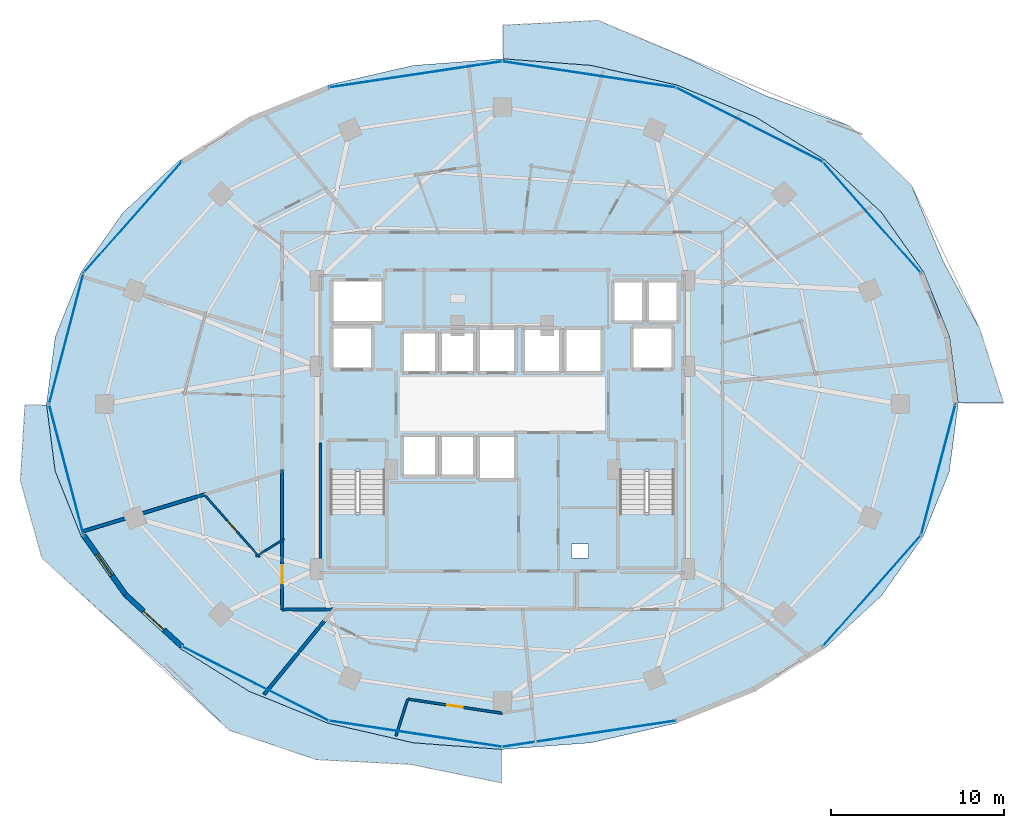
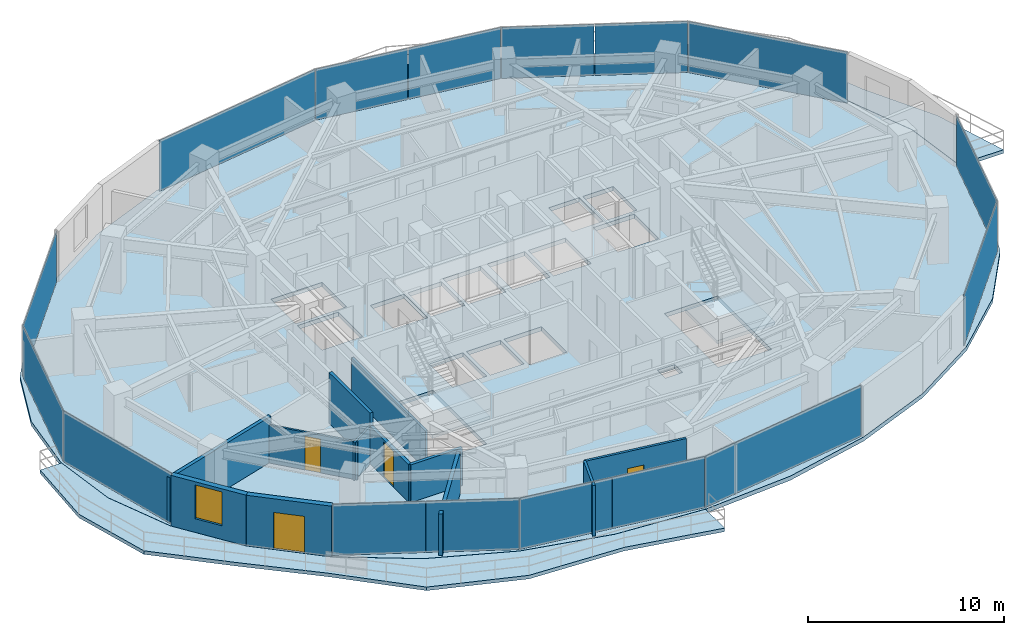
# One storey, part 21 of 29: 16 plates, 12 walls, 5 slabs, 4 doors, 1 window, 5 openings, 6 elements without a shape of their own.
"""IFC4 building model written with IfcOpenShell, lengths in metres."""

import ifcopenshell
import ifcopenshell.guid

model = None  # the IFC model being written
_history = None  # IfcOwnerHistory: only IFC2X3 demands one
_inside = {}  # id of a spatial element -> (the spatial element, [elements in it])
_under = {}  # id of a project, library or spatial element -> (it, [spatial elements below it])
_declared = {}  # id of a project -> (the project, [libraries it declares])
_typed = {}  # id of a type object -> (the type object, [elements of that type])
_made_of = {}  # id of a material, layer set ... -> (it, [elements and type objects made of it])


def new_model(schema):
    """Start an empty IFC model of exactly this schema.

    Asked for "IFC4X3", IfcOpenShell would pick the latest addendum, in which some entities
    have other attributes; the version numbers below select the first issue.
    IFC2X3 requires an IfcOwnerHistory on every rooted entity: one is made here for all.
    """
    global model, _history
    if schema == "IFC4X3":
        model = ifcopenshell.file(schema_version=(4, 3, 0, 0))
    else:
        model = ifcopenshell.file(schema=schema)
    _inside.clear()
    _under.clear()
    _declared.clear()
    _typed.clear()
    _made_of.clear()
    _history = None
    if model.schema == "IFC2X3":
        org = make("IfcOrganization", Name="unknown")
        user = make(
            "IfcPersonAndOrganization",
            ThePerson=make("IfcPerson", FamilyName="unknown"),
            TheOrganization=org,
        )
        app = make(
            "IfcApplication",
            ApplicationDeveloper=org,
            Version="unknown",
            ApplicationFullName="unknown",
            ApplicationIdentifier="unknown",
        )
        _history = make(
            "IfcOwnerHistory",
            OwningUser=user,
            OwningApplication=app,
            ChangeAction="ADDED",
            CreationDate=0,
        )
    return model


def make(cls, **values):
    """One entity of the class cls with the attributes given. An attribute that is None is left unset."""
    return model.create_entity(
        cls, **{name: value for name, value in values.items() if value is not None}
    )


def rooted(cls, **values):
    """An entity with a GlobalId (a new one), such as an element, a storey or a relation."""
    return make(cls, GlobalId=ifcopenshell.guid.new(), OwnerHistory=_history, **values)


def si_unit(unit_type, name, prefix=None):
    """IfcSIUnit, for example si_unit("LENGTHUNIT", "METRE", prefix="MILLI")."""
    return make("IfcSIUnit", UnitType=unit_type, Prefix=prefix, Name=name)


def assignment(units):
    """IfcUnitAssignment: the units of a project."""
    return None if units is None else make("IfcUnitAssignment", Units=units)


def point(xyz):
    """IfcCartesianPoint."""
    return None if xyz is None else make("IfcCartesianPoint", Coordinates=xyz)


def direction(xyz):
    """IfcDirection."""
    return None if xyz is None else make("IfcDirection", DirectionRatios=xyz)


def frame(location, z_axis=None, x_axis=None):
    """IfcAxis2Placement3D, a coordinate frame: its origin and axes. An axis left out is left unset."""
    return make(
        "IfcAxis2Placement3D",
        Location=point(location),
        Axis=direction(z_axis),
        RefDirection=direction(x_axis),
    )


def frame_2d(location, x_axis=None):
    """IfcAxis2Placement2D, a coordinate frame in the plane: its origin and x axis."""
    return make(
        "IfcAxis2Placement2D", Location=point(location), RefDirection=direction(x_axis)
    )


def origin():
    """The frame at (0, 0, 0) with its axes left unset."""
    return frame((0.0, 0.0, 0.0))


def origin_2d():
    """The frame at (0, 0) in the plane with its x axis left unset."""
    return frame_2d((0.0, 0.0))


def place(relative_to, where):
    """IfcLocalPlacement: puts the frame where relative to a parent placement (None: the world)."""
    return make(
        "IfcLocalPlacement", PlacementRelTo=relative_to, RelativePlacement=where
    )


def context(
    kind, dimensions, precision=None, world=None, true_north=None, identifier=None
):
    """IfcGeometricRepresentationContext, for example the 3D "Model" context."""
    return make(
        "IfcGeometricRepresentationContext",
        ContextIdentifier=identifier,
        ContextType=kind,
        CoordinateSpaceDimension=dimensions,
        Precision=precision,
        WorldCoordinateSystem=world,
        TrueNorth=true_north,
    )


def subcontext(parent, identifier, kind, view, scale=None):
    """IfcGeometricRepresentationSubContext, for example "Body" below "Model"."""
    return make(
        "IfcGeometricRepresentationSubContext",
        ContextIdentifier=identifier,
        ContextType=kind,
        ParentContext=parent,
        TargetScale=scale,
        TargetView=view,
    )


def project(units=None, contexts=None):
    """IfcProject with its units and contexts."""
    return rooted(
        "IfcProject",
        Name="project",
        RepresentationContexts=contexts,
        UnitsInContext=assignment(units),
    )


def spatial(cls, under=None, at=None, **own):
    """A site, building, storey or space (cls), placed at a placement, below another one or the project."""
    s = rooted(cls, ObjectPlacement=at, **own)
    if under is not None:
        _under.setdefault(under.id(), (under, []))[1].append(s)
    return s


def polyline(points):
    """IfcPolyline through the points."""
    return make("IfcPolyline", Points=[point(p) for p in points])


def profile(cls, at=None, kind="AREA", **sizes):
    """A parametric profile (cls). Its sizes go by their IFC names, for example OverallWidth=200.0."""
    return make(cls, ProfileType=kind, Position=at, **sizes)


def rectangle(**sizes):
    """IfcRectangleProfileDef."""
    return profile("IfcRectangleProfileDef", **sizes)


def outline(outer, holes=None, kind="AREA"):
    """IfcArbitraryClosedProfileDef: a profile drawn as a closed curve; with holes, ...WithVoids."""
    if holes is None:
        return make("IfcArbitraryClosedProfileDef", ProfileType=kind, OuterCurve=outer)
    return make(
        "IfcArbitraryProfileDefWithVoids",
        ProfileType=kind,
        OuterCurve=outer,
        InnerCurves=holes,
    )


def extrude(swept, where, along, depth):
    """IfcExtrudedAreaSolid: the profile swept, set in the frame where, extruded along a direction by depth."""
    return make(
        "IfcExtrudedAreaSolid",
        SweptArea=swept,
        Position=where,
        ExtrudedDirection=direction(along),
        Depth=depth,
    )


def shape(context_of_items, identifier, shape_type, items):
    """IfcShapeRepresentation: the items that make up one representation, for example the "Body"."""
    return make(
        "IfcShapeRepresentation",
        ContextOfItems=context_of_items,
        RepresentationIdentifier=identifier,
        RepresentationType=shape_type,
        Items=items,
    )


def material(Name=None, Category=None):
    """IfcMaterial."""
    return make("IfcMaterial", Name=Name, Category=Category)


def layer(
    of_material, thickness, ventilated=None, Name=None, Category=None, Priority=None
):
    """IfcMaterialLayer: one layer of a wall or slab, of a material (None: an air gap)."""
    return make(
        "IfcMaterialLayer",
        Material=of_material,
        LayerThickness=thickness,
        IsVentilated=ventilated,
        Name=Name,
        Category=Category,
        Priority=Priority,
    )


def layer_set(layers, Name=None):
    """IfcMaterialLayerSet."""
    return make("IfcMaterialLayerSet", MaterialLayers=layers, LayerSetName=Name)


def made_of(thing, what):
    """Note that an element or type object is made of a material, layer set ...; save() writes the relation."""
    if what is not None:
        _made_of.setdefault(what.id(), (what, []))[1].append(thing)
    return thing


def type_object(cls, material=None, **own):
    """A type object (cls), such as IfcWallType, which elements share."""
    return made_of(rooted(cls, **own), material)


def element(
    cls,
    number,
    at=None,
    inside=None,
    cuts=None,
    type_object=None,
    material=None,
    context=None,
    identifier="Body",
    shape_type=None,
    held_by="IfcProductDefinitionShape",
    body=None,
    shapes=None,
    **own,
):
    """One element of the class cls, such as IfcWall. Its Tag is "e" and its number.

    at: its placement. inside: the storey or other place that contains it. cuts: it is an
    opening in that element (IfcRelVoidsElement). A single representation is given by context,
    identifier, shape_type and body (its items); several are given by shapes. held_by: the class
    of the entity that holds the representations. save() writes the other relations.
    """
    e = rooted(cls, Tag="e%d" % number, ObjectPlacement=at, **own)
    if body is not None:
        shapes = [shape(context, identifier, shape_type, body)]
    if shapes is not None:
        e.Representation = make(held_by, Representations=shapes)
    if inside is not None:
        _inside.setdefault(inside.id(), (inside, []))[1].append(e)
    if cuts is not None:
        rooted(
            "IfcRelVoidsElement", RelatingBuildingElement=cuts, RelatedOpeningElement=e
        )
    if type_object is not None:
        _typed.setdefault(type_object.id(), (type_object, []))[1].append(e)
    return made_of(e, material)


def fill(opening, filler):
    """IfcRelFillsElement: the door or window that sits in an opening."""
    return rooted(
        "IfcRelFillsElement",
        RelatingOpeningElement=opening,
        RelatedBuildingElement=filler,
    )


def aggregate(whole, parts):
    """IfcRelAggregates: a whole, such as a stair, and the parts it consists of."""
    return rooted("IfcRelAggregates", RelatingObject=whole, RelatedObjects=parts)


def save(model, path):
    """Write the relations noted so far, then the file.

    IfcRelAggregates (storeys below a building ...), IfcRelContainedInSpatialStructure (elements
    in a storey), IfcRelDefinesByType, IfcRelAssociatesMaterial and IfcRelDeclares: one each for
    every whole, place, type object, material and project.
    """
    for whole, parts in _under.values():
        aggregate(whole, parts)
    for where, things in _inside.values():
        rooted(
            "IfcRelContainedInSpatialStructure",
            RelatedElements=things,
            RelatingStructure=where,
        )
    for kind, things in _typed.values():
        rooted("IfcRelDefinesByType", RelatedObjects=things, RelatingType=kind)
    for what, things in _made_of.values():
        rooted("IfcRelAssociatesMaterial", RelatedObjects=things, RelatingMaterial=what)
    for by, libraries in _declared.values():
        rooted("IfcRelDeclares", RelatingContext=by, RelatedDefinitions=libraries)
    model.write(path)


model = new_model("IFC4")

# Units and contexts
model_context = context("Model", 3, precision=1e-05, world=origin(), true_north=direction((0.0, 1.0)))
body_context = subcontext(model_context, "Body", "Model", "MODEL_VIEW")
ifc_project = project(units=[si_unit("LENGTHUNIT", "METRE"), si_unit("AREAUNIT", "SQUARE_METRE"), si_unit("VOLUMEUNIT", "CUBIC_METRE"), si_unit("PLANEANGLEUNIT", "RADIAN"), si_unit("MASSUNIT", "GRAM", prefix="KILO")], contexts=[model_context])

# Site, building, storey
site_placement = place(None, origin())
site = spatial("IfcSite", under=ifc_project, at=site_placement, CompositionType="ELEMENT")
building_placement = place(site_placement, origin())
building = spatial("IfcBuilding", under=site, at=building_placement, Name="Vorneva Point Tower", CompositionType="ELEMENT")
storey_placement = place(building_placement, frame((0.0, 0.0, 120.800048828125)))
storey = spatial("IfcBuildingStorey", under=building, at=storey_placement, Name="L32", CompositionType="ELEMENT", Elevation=120.800048828125)

# Curtain wall, plates
ifc_material_1 = material(Name="Pale anodised aluminium", Category="aluminium")
curtain_wall_type = type_object("IfcCurtainWallType", Name="CW-HTL-SYS", PredefinedType="NOTDEFINED", material=ifc_material_1)
curtain_wall_1_placement = place(storey_placement, origin())
curtain_wall_1 = element("IfcCurtainWall", 1, at=curtain_wall_1_placement, inside=storey, type_object=curtain_wall_type, Name="L32 Unitised Curtain Wall CW-L32-R01", PredefinedType="NOTDEFINED")
ifc_material_2 = material(Name="Double low-e laminated glass IGU", Category="glass")
ifc_layer_1 = layer(ifc_material_2, 0.035888671875)
ifc_layer_set_1 = layer_set([ifc_layer_1], Name="Double low-e laminated glass IGU")
plate_type = type_object("IfcPlateType", Name="CW-PNL-VIS", PredefinedType="CURTAIN_PANEL", material=ifc_layer_set_1)
plate_1_placement = place(storey_placement, frame((59.40673828125, 36.816162109375, -0.02001953125), z_axis=(0.0, 0.0, 1.0), x_axis=(-0.662149334693, 0.749371909379, 0.0)))
plate_1 = element("IfcPlate", 2, at=plate_1_placement, type_object=plate_type, Name="CW-L32-R01 Glazed Panel 01", PredefinedType="CURTAIN_PANEL", context=body_context, shape_type="SweptSolid", body=[
    extrude(rectangle(XDim=8.543701171875, YDim=0.035888671875, at=origin_2d()), origin(), (0.0, 0.0, 1.0), 3.18994140625),
])
plate_2_placement = place(storey_placement, frame((54.4326171875, 41.11181640625, -0.02001953125), z_axis=(0.0, 0.0, 1.0), x_axis=(-0.892538597772, 0.450971009585, 0.0)))
plate_2 = element("IfcPlate", 3, at=plate_2_placement, type_object=plate_type, Name="CW-L32-R01 Glazed Panel 02A", PredefinedType="CURTAIN_PANEL", context=body_context, shape_type="SweptSolid", body=[
    extrude(rectangle(XDim=4.720703125, YDim=0.035888671875, at=origin_2d()), origin(), (0.0, 0.0, 1.0), 3.18994140625),
])
plate_3_placement = place(storey_placement, frame((50.174560546875, 43.26318359375, -0.02001953125), z_axis=(0.0, 0.0, 1.0), x_axis=(-0.892538597772, 0.450971009585, 0.0)))
plate_3 = element("IfcPlate", 4, at=plate_3_placement, type_object=plate_type, Name="CW-L32-R01 Glazed Panel 02B", PredefinedType="CURTAIN_PANEL", context=body_context, shape_type="SweptSolid", body=[
    extrude(rectangle(XDim=4.720703125, YDim=0.035888671875, at=origin_2d()), origin(), (0.0, 0.0, 1.0), 3.18994140625),
])
plate_4_placement = place(storey_placement, frame((45.5341796875, 44.716796875, -0.02001953125), z_axis=(0.0, 0.0, 1.0), x_axis=(-0.988876117041, 0.148741470836, 0.0)))
plate_4 = element("IfcPlate", 5, at=plate_4_placement, type_object=plate_type, Name="CW-L32-R01 Glazed Panel 03A", PredefinedType="CURTAIN_PANEL", context=body_context, shape_type="SweptSolid", body=[
    extrude(rectangle(XDim=5.029296875, YDim=0.035888671875, at=origin_2d()), origin(), (0.0, 0.0, 1.0), 3.18994140625),
])
plate_5_placement = place(storey_placement, frame((40.511474609375, 45.472412109375, -0.02001953125), z_axis=(0.0, 0.0, 1.0), x_axis=(-0.988876117041, 0.148741470836, 0.0)))
plate_5 = element("IfcPlate", 6, at=plate_5_placement, type_object=plate_type, Name="CW-L32-R01 Glazed Panel 03B", PredefinedType="CURTAIN_PANEL", context=body_context, shape_type="SweptSolid", body=[
    extrude(rectangle(XDim=5.029296875, YDim=0.035888671875, at=origin_2d()), origin(), (0.0, 0.0, 1.0), 3.18994140625),
])
plate_6_placement = place(storey_placement, frame((32.977294921875, 45.094482421875, -0.02001953125), z_axis=(0.0, 0.0, 1.0), x_axis=(-0.988876117041, -0.148741470836, 0.0)))
plate_6 = element("IfcPlate", 7, at=plate_6_placement, type_object=plate_type, Name="CW-L32-R01 Glazed Panel 04", PredefinedType="CURTAIN_PANEL", context=body_context, shape_type="SweptSolid", body=[
    extrude(rectangle(XDim=10.1083984375, YDim=0.035888671875, at=origin_2d()), origin(), (0.0, 0.0, 1.0), 3.18994140625),
])
aggregate(curtain_wall_1, [plate_1, plate_2, plate_3, plate_4, plate_5, plate_6])

curtain_wall_2_placement = place(storey_placement, origin())
curtain_wall_2 = element("IfcCurtainWall", 8, at=curtain_wall_2_placement, inside=storey, type_object=curtain_wall_type, Name="L32 Unitised Curtain Wall CW-L32-R02", PredefinedType="NOTDEFINED")
plate_7_placement = place(storey_placement, frame((16.59326171875, 36.816162109375, -0.02001953125), z_axis=(0.0, 0.0, 1.0), x_axis=(-0.662149334693, -0.749371909379, 0.0)))
plate_7 = element("IfcPlate", 9, at=plate_7_placement, type_object=plate_type, Name="CW-L32-R02 Glazed Panel 01", PredefinedType="CURTAIN_PANEL", context=body_context, shape_type="SweptSolid", body=[
    extrude(rectangle(XDim=8.543701171875, YDim=0.035888671875, at=origin_2d()), origin(), (0.0, 0.0, 1.0), 3.18994140625),
])
plate_8_placement = place(storey_placement, frame((12.7490234375, 29.798095703125, -0.02001953125), z_axis=(0.0, 0.0, 1.0), x_axis=(-0.254399404995, -0.967099241411, 0.0)))
plate_8 = element("IfcPlate", 10, at=plate_8_placement, type_object=plate_type, Name="CW-L32-R02 Glazed Panel 02", PredefinedType="CURTAIN_PANEL", context=body_context, shape_type="SweptSolid", body=[
    extrude(rectangle(XDim=7.8046875, YDim=0.035888671875, at=origin_2d()), origin(), (0.0, 0.0, 1.0), 3.18994140625),
])
plate_9_placement = place(storey_placement, frame((12.7490234375, 22.201904296875, -0.02001953125), z_axis=(0.0, 0.0, 1.0), x_axis=(0.254399404995, -0.967099241411, 0.0)))
plate_9 = element("IfcPlate", 11, at=plate_9_placement, type_object=plate_type, Name="CW-L32-R02 Glazed Panel 03", PredefinedType="CURTAIN_PANEL", context=body_context, shape_type="SweptSolid", body=[
    extrude(rectangle(XDim=7.8046875, YDim=0.035888671875, at=origin_2d()), origin(), (0.0, 0.0, 1.0), 3.18994140625),
])
aggregate(curtain_wall_2, [plate_7, plate_8, plate_9])

curtain_wall_3_placement = place(storey_placement, origin())
curtain_wall_3 = element("IfcCurtainWall", 12, at=curtain_wall_3_placement, inside=storey, type_object=curtain_wall_type, Name="L32 Unitised Curtain Wall CW-L32-R03", PredefinedType="NOTDEFINED")
plate_10_placement = place(storey_placement, frame((21.5673828125, 10.88818359375, -0.02001953125), z_axis=(0.0, 0.0, 1.0), x_axis=(0.892538597772, -0.450971009585, 0.0)))
plate_10 = element("IfcPlate", 13, at=plate_10_placement, type_object=plate_type, Name="CW-L32-R03 Glazed Panel 01A", PredefinedType="CURTAIN_PANEL", context=body_context, shape_type="SweptSolid", body=[
    extrude(rectangle(XDim=4.720703125, YDim=0.035888671875, at=origin_2d()), origin(), (0.0, 0.0, 1.0), 3.18994140625),
])
plate_11_placement = place(storey_placement, frame((25.825439453125, 8.73681640625, -0.02001953125), z_axis=(0.0, 0.0, 1.0), x_axis=(0.892538597772, -0.450971009585, 0.0)))
plate_11 = element("IfcPlate", 14, at=plate_11_placement, type_object=plate_type, Name="CW-L32-R03 Glazed Panel 01B", PredefinedType="CURTAIN_PANEL", context=body_context, shape_type="SweptSolid", body=[
    extrude(rectangle(XDim=4.720703125, YDim=0.035888671875, at=origin_2d()), origin(), (0.0, 0.0, 1.0), 3.18994140625),
])
plate_12_placement = place(storey_placement, frame((30.4658203125, 7.283203125, -0.02001953125), z_axis=(0.0, 0.0, 1.0), x_axis=(0.988876117041, -0.148741470836, 0.0)))
plate_12 = element("IfcPlate", 15, at=plate_12_placement, type_object=plate_type, Name="CW-L32-R03 Glazed Panel 02A", PredefinedType="CURTAIN_PANEL", context=body_context, shape_type="SweptSolid", body=[
    extrude(rectangle(XDim=5.029296875, YDim=0.035888671875, at=origin_2d()), origin(), (0.0, 0.0, 1.0), 3.18994140625),
])
plate_13_placement = place(storey_placement, frame((35.488525390625, 6.52783203125, -0.02001953125), z_axis=(0.0, 0.0, 1.0), x_axis=(0.988876117041, -0.148741470836, 0.0)))
plate_13 = element("IfcPlate", 16, at=plate_13_placement, type_object=plate_type, Name="CW-L32-R03 Glazed Panel 02B", PredefinedType="CURTAIN_PANEL", context=body_context, shape_type="SweptSolid", body=[
    extrude(rectangle(XDim=5.029296875, YDim=0.035888671875, at=origin_2d()), origin(), (0.0, 0.0, 1.0), 3.18994140625),
])
plate_14_placement = place(storey_placement, frame((43.022705078125, 6.905517578125, -0.02001953125), z_axis=(0.0, 0.0, 1.0), x_axis=(0.988876117041, 0.148741470836, 0.0)))
plate_14 = element("IfcPlate", 17, at=plate_14_placement, type_object=plate_type, Name="CW-L32-R03 Glazed Panel 03", PredefinedType="CURTAIN_PANEL", context=body_context, shape_type="SweptSolid", body=[
    extrude(rectangle(XDim=10.1083984375, YDim=0.035888671875, at=origin_2d()), origin(), (0.0, 0.0, 1.0), 3.18994140625),
])
aggregate(curtain_wall_3, [plate_10, plate_11, plate_12, plate_13, plate_14])

curtain_wall_4_placement = place(storey_placement, origin())
curtain_wall_4 = element("IfcCurtainWall", 18, at=curtain_wall_4_placement, inside=storey, type_object=curtain_wall_type, Name="L32 Unitised Curtain Wall CW-L32-R04", PredefinedType="NOTDEFINED")
plate_15_placement = place(storey_placement, frame((59.40673828125, 15.183837890625, -0.02001953125), z_axis=(0.0, 0.0, 1.0), x_axis=(0.662149334693, 0.749371909379, 0.0)))
plate_15 = element("IfcPlate", 19, at=plate_15_placement, type_object=plate_type, Name="CW-L32-R04 Glazed Panel 01", PredefinedType="CURTAIN_PANEL", context=body_context, shape_type="SweptSolid", body=[
    extrude(rectangle(XDim=8.543701171875, YDim=0.035888671875, at=origin_2d()), origin(), (0.0, 0.0, 1.0), 3.18994140625),
])
plate_16_placement = place(storey_placement, frame((63.2509765625, 22.201904296875, -0.02001953125), z_axis=(0.0, 0.0, 1.0), x_axis=(0.254399404995, 0.967099241411, 0.0)))
plate_16 = element("IfcPlate", 20, at=plate_16_placement, type_object=plate_type, Name="CW-L32-R04 Glazed Panel 02", PredefinedType="CURTAIN_PANEL", context=body_context, shape_type="SweptSolid", body=[
    extrude(rectangle(XDim=7.8046875, YDim=0.035888671875, at=origin_2d()), origin(), (0.0, 0.0, 1.0), 3.18994140625),
])
aggregate(curtain_wall_4, [plate_15, plate_16])

# Slabs
ifc_material_3 = material(Name="Concrete B50 (C40/50)", Category="concrete")
ifc_layer_2 = layer(ifc_material_3, 0.219970703125)
ifc_layer_set_2 = layer_set([ifc_layer_2], Name="Concrete B50 (C40/50)")
slab_type_1 = type_object("IfcSlabType", Name="SLB-BAL-220", PredefinedType="FLOOR", material=ifc_layer_set_2)
slab_1_placement = place(storey_placement, frame((0.0, 0.0, -0.219970703125)))
element("IfcSlab", 21, at=slab_1_placement, inside=storey, type_object=slab_type_1, Name="L32 Cantilevered Wave Balcony NE", PredefinedType="FLOOR", context=body_context, shape_type="SweptSolid", body=[
    extrude(outline(polyline([(38.050048828125, 47.952392578125), (38.050048828125, 46.000244140625), (43.150634765625, 45.61962890625), (43.15087890625, 45.61962890625), (43.1513671875, 45.61962890625), (48.103759765625, 44.4814453125), (48.10400390625, 44.4814453125), (48.104248046875, 44.481201171875), (52.668701171875, 42.633056640625), (52.6689453125, 42.633056640625), (52.669189453125, 42.6328125), (56.669677734375, 40.1455078125), (56.669921875, 40.145263671875), (56.67041015625, 40.14501953125), (59.95361328125, 37.1142578125), (59.953857421875, 37.114013671875), (59.9541015625, 37.11376953125), (62.393798828125, 33.656005859375), (62.393798828125, 33.655517578125), (62.39404296875, 33.6552734375), (63.896484375, 29.9033203125), (63.896484375, 29.903076171875), (63.896484375, 29.902587890625), (63.896728515625, 29.90234375), (64.3974609375, 26.050048828125), (67.033935546875, 26.050048828125), (65.646728515625, 30.3623046875), (63.533935546875, 34.27880859375), (61.704833984375, 38.658447265625), (58.14404296875, 42.091064453125), (53.284912109375, 43.849853515625), (48.6064453125, 46.08251953125), (43.543212890625, 48.222900390625), (38.050048828125, 47.952392578125)])), origin(), (0.0, 0.0, 1.0), 0.219970703125),
])
slab_2_placement = place(storey_placement, frame((0.0, 0.0, -0.219970703125)))
element("IfcSlab", 22, at=slab_2_placement, inside=storey, type_object=slab_type_1, Name="L32 Cantilevered Wave Balcony SW", PredefinedType="FLOOR", context=body_context, shape_type="SweptSolid", body=[
    extrude(outline(polyline([(37.949951171875, 4.060302734375), (37.949951171875, 5.999755859375), (32.849365234375, 6.38037109375), (32.84912109375, 6.38037109375), (32.8486328125, 6.38037109375), (27.896240234375, 7.5185546875), (27.89599609375, 7.5185546875), (27.895751953125, 7.518798828125), (23.331298828125, 9.366943359375), (23.3310546875, 9.366943359375), (23.330810546875, 9.3671875), (19.330322265625, 11.8544921875), (19.330078125, 11.854736328125), (19.32958984375, 11.85498046875), (16.04638671875, 14.8857421875), (16.046142578125, 14.885986328125), (16.0458984375, 14.88623046875), (13.606201171875, 18.343994140625), (13.606201171875, 18.344482421875), (13.60595703125, 18.3447265625), (12.103515625, 22.0966796875), (12.103515625, 22.096923828125), (12.103515625, 22.097412109375), (12.103271484375, 22.09765625), (11.6025390625, 25.949951171875), (10.34716796875, 25.949951171875), (10.089111328125, 21.568359375), (11.331298828125, 17.1005859375), (14.87841796875, 13.85595703125), (18.453857421875, 10.697998046875), (22.189453125, 7.111572265625), (27.233154296875, 5.40625), (32.661376953125, 5.135009765625), (37.949951171875, 4.060302734375)])), origin(), (0.0, 0.0, 1.0), 0.219970703125),
])

# Stair, slab
stair_type = type_object("IfcStairType", Name="ST-DOG-1500", PredefinedType="HALF_TURN_STAIR", material=ifc_material_3)
stair_1_placement = place(storey_placement, origin())
stair_1 = element("IfcStair", 23, at=stair_1_placement, inside=storey, type_object=stair_type, Name="L32 ST1", PredefinedType="HALF_TURN_STAIR")
ifc_layer_3 = layer(ifc_material_3, 0.199951171875)
ifc_layer_set_3 = layer_set([ifc_layer_3], Name="Concrete B50 (C40/50)")
slab_type_2 = type_object("IfcSlabType", Name="SLB-LND-200", PredefinedType="LANDING", material=ifc_layer_set_3)
slab_3_placement = place(storey_placement, frame((0.0, 0.0, 1.550048828125)))
slab_3 = element("IfcSlab", 24, at=slab_3_placement, type_object=slab_type_2, Name="ST1 landing 1", PredefinedType="LANDING", context=body_context, shape_type="SweptSolid", body=[
    extrude(outline(polyline([(27.929931640625, 16.47998046875), (31.320068359375, 16.47998046875), (31.320068359375, 19.72998046875), (27.929931640625, 19.72998046875), (27.929931640625, 16.47998046875)])), origin(), (0.0, 0.0, 1.0), 0.199951171875),
])
aggregate(stair_1, [slab_3])

stair_2_placement = place(storey_placement, origin())
stair_2 = element("IfcStair", 25, at=stair_2_placement, inside=storey, type_object=stair_type, Name="L32 ST2", PredefinedType="HALF_TURN_STAIR")
slab_4_placement = place(storey_placement, frame((0.0, 0.0, 1.550048828125)))
slab_4 = element("IfcSlab", 26, at=slab_4_placement, type_object=slab_type_2, Name="ST2 landing 1", PredefinedType="LANDING", context=body_context, shape_type="SweptSolid", body=[
    extrude(outline(polyline([(44.679931640625, 16.47998046875), (48.070068359375, 16.47998046875), (48.070068359375, 19.72998046875), (44.679931640625, 19.72998046875), (44.679931640625, 16.47998046875)])), origin(), (0.0, 0.0, 1.0), 0.199951171875),
])
aggregate(stair_2, [slab_4])

# Slab
ifc_layer_4 = layer(ifc_material_3, 0.260009765625)
ifc_layer_set_4 = layer_set([ifc_layer_4], Name="Concrete B50 (C40/50)")
slab_type_3 = type_object("IfcSlabType", Name="SLB-TYP-260", PredefinedType="FLOOR", material=ifc_layer_set_4)
slab_5_placement = place(storey_placement, frame((0.0, 0.0, -0.260009765625)))
element("IfcSlab", 27, at=slab_5_placement, inside=storey, type_object=slab_type_3, Name="L32 Structural Floor Plate", PredefinedType="FLOOR", context=body_context, shape_type="SweptSolid", body=[
    extrude(outline(polyline([(64.39990234375, 26.0), (63.892578125, 29.90185546875), (62.390380859375, 33.65380859375), (59.95068359375, 37.111328125), (56.66748046875, 40.14208984375), (52.6669921875, 42.62939453125), (48.102783203125, 44.4775390625), (43.150390625, 45.61572265625), (38.0, 46.0), (32.849609375, 45.61572265625), (27.897216796875, 44.4775390625), (23.3330078125, 42.62939453125), (19.33251953125, 40.14208984375), (16.04931640625, 37.111328125), (13.609619140625, 33.65380859375), (12.107421875, 29.90185546875), (11.60009765625, 26.0), (12.107421875, 22.09814453125), (13.609619140625, 18.34619140625), (16.04931640625, 14.888671875), (19.33251953125, 11.85791015625), (23.3330078125, 9.37060546875), (27.897216796875, 7.5224609375), (32.849609375, 6.38427734375), (38.0, 6.0), (43.150390625, 6.38427734375), (48.102783203125, 7.5224609375), (52.6669921875, 9.37060546875), (56.66748046875, 11.85791015625), (59.95068359375, 14.888671875), (62.390380859375, 18.34619140625), (63.892578125, 22.09814453125), (64.39990234375, 26.0)]), holes=[polyline([(32.199951171875, 27.800048828125), (34.199951171875, 27.800048828125), (34.199951171875, 30.199951171875), (32.199951171875, 30.199951171875), (32.199951171875, 27.800048828125)]), polyline([(34.39990234375, 27.800048828125), (36.39990234375, 27.800048828125), (36.39990234375, 30.199951171875), (34.39990234375, 30.199951171875), (34.39990234375, 27.800048828125)]), polyline([(36.60009765625, 27.800048828125), (38.800048828125, 27.800048828125), (38.800048828125, 30.39990234375), (36.60009765625, 30.39990234375), (36.60009765625, 27.800048828125)]), polyline([(32.199951171875, 21.800048828125), (34.199951171875, 21.800048828125), (34.199951171875, 24.199951171875), (32.199951171875, 24.199951171875), (32.199951171875, 21.800048828125)]), polyline([(34.39990234375, 21.800048828125), (36.39990234375, 21.800048828125), (36.39990234375, 24.199951171875), (34.39990234375, 24.199951171875), (34.39990234375, 21.800048828125)]), polyline([(36.60009765625, 21.60009765625), (38.800048828125, 21.60009765625), (38.800048828125, 24.199951171875), (36.60009765625, 24.199951171875), (36.60009765625, 21.60009765625)]), polyline([(39.199951171875, 27.800048828125), (41.39990234375, 27.800048828125), (41.39990234375, 30.39990234375), (39.199951171875, 30.39990234375), (39.199951171875, 27.800048828125)]), polyline([(41.60009765625, 27.800048828125), (43.800048828125, 27.800048828125), (43.800048828125, 30.39990234375), (41.60009765625, 30.39990234375), (41.60009765625, 27.800048828125)]), polyline([(44.39990234375, 30.739990234375), (46.199951171875, 30.739990234375), (46.199951171875, 33.159912109375), (44.39990234375, 33.159912109375), (44.39990234375, 30.739990234375)]), polyline([(46.39990234375, 30.739990234375), (48.199951171875, 30.739990234375), (48.199951171875, 33.159912109375), (46.39990234375, 33.159912109375), (46.39990234375, 30.739990234375)]), polyline([(28.10009765625, 28.0), (30.5, 28.0), (30.5, 30.5), (28.10009765625, 30.5), (28.10009765625, 28.0)]), polyline([(45.5, 28.0), (47.89990234375, 28.0), (47.89990234375, 30.5), (45.5, 30.5), (45.5, 28.0)]), polyline([(28.10009765625, 30.699951171875), (31.10009765625, 30.699951171875), (31.10009765625, 33.199951171875), (28.10009765625, 33.199951171875), (28.10009765625, 30.699951171875)]), polyline([(28.050048828125, 16.60009765625), (31.199951171875, 16.60009765625), (31.199951171875, 22.080078125), (28.050048828125, 22.080078125), (28.050048828125, 16.60009765625)]), polyline([(44.800048828125, 16.60009765625), (47.949951171875, 16.60009765625), (47.949951171875, 22.080078125), (44.800048828125, 22.080078125), (44.800048828125, 16.60009765625)]), polyline([(42.0, 17.10009765625), (43.0, 17.10009765625), (43.0, 17.89990234375), (42.0, 17.89990234375), (42.0, 17.10009765625)])]), origin(), (0.0, 0.0, 1.0), 0.260009765625),
])

# Wall, opening, window
ifc_material_4 = material(Name="Precast concrete B50 (C40/50)", Category="concrete")
ifc_layer_5 = layer(ifc_material_4, 0.300048828125)
ifc_layer_set_5 = layer_set([ifc_layer_5], Name="Precast concrete B50 (C40/50)")
wall_type_1 = type_object("IfcWallType", Name="WL-EXT-300", PredefinedType="STANDARD", material=ifc_layer_set_5)
wall_1_placement = place(storey_placement, frame((13.748291015625, 18.40380859375, 0.0), z_axis=(0.0, 0.0, 1.0), x_axis=(0.57716435238, -0.81662801222, 0.0)))
wall_1 = element("IfcWall", 28, at=wall_1_placement, inside=storey, type_object=wall_type_1, Name="L32 Pale-Metal Facade Spandrel Wall 10.1", PredefinedType="STANDARD", context=body_context, shape_type="SweptSolid", body=[
    extrude(rectangle(XDim=4.202392578125, YDim=0.300048828125, at=frame_2d((2.10107421875, 0.0))), origin(), (0.0, 0.0, 1.0), 3.14990234375),
])
opening_1_placement = place(wall_1_placement, frame((1.351318359375, 0.0, 0.85009765625)))
opening_1 = element("IfcOpeningElement", 29, at=opening_1_placement, cuts=wall_1, Name="Opening W-02", PredefinedType="OPENING", context=body_context, shape_type="SweptSolid", body=[
    extrude(rectangle(XDim=1.5, YDim=2.10009765625, at=frame_2d((0.75, 1.050048828125))), frame((0.0, 0.1650390625, 0.0), z_axis=(0.0, -1.0, 0.0), x_axis=(1.0, 0.0, 0.0)), (0.0, 0.0, 1.0), 0.329833984375),
])
window_type = type_object("IfcWindowType", Name="WN-HTL-1500", PartitioningType="SINGLE_PANEL", PredefinedType="WINDOW", material=ifc_material_2)
window_placement = place(opening_1_placement, origin())
window = element("IfcWindow", 30, at=window_placement, inside=storey, type_object=window_type, Name="L32 Facade Window 10", OverallHeight=2.10009765625, OverallWidth=1.5, PartitioningType="SINGLE_PANEL", PredefinedType="WINDOW", context=body_context, shape_type="SweptSolid", body=[
    extrude(rectangle(XDim=1.5, YDim=2.10009765625, at=frame_2d((0.75, 1.050048828125))), frame((0.0, 0.030029296875, 0.0), z_axis=(0.0, -1.0, 0.0), x_axis=(1.0, 0.0, 0.0)), (0.0, 0.0, 1.0), 0.06005859375),
])
fill(opening_1, window)

# Wall, opening, door
wall_2_placement = place(storey_placement, frame((16.173828125, 14.971923828125, 0.0), z_axis=(0.0, 0.0, 1.0), x_axis=(0.735416718093, -0.677615119924, 0.0)))
wall_2 = element("IfcWall", 31, at=wall_2_placement, inside=storey, type_object=wall_type_1, Name="L32 Pale-Metal Facade Spandrel Wall 10.2", PredefinedType="STANDARD", context=body_context, shape_type="SweptSolid", body=[
    extrude(rectangle(XDim=4.439208984375, YDim=0.300048828125, at=frame_2d((2.2197265625, 0.0))), origin(), (0.0, 0.0, 1.0), 3.14990234375),
])
opening_2_placement = place(wall_2_placement, frame((1.41943359375, 0.0, 0.0)))
opening_2 = element("IfcOpeningElement", 32, at=opening_2_placement, cuts=wall_2, Name="Opening BD-01", PredefinedType="OPENING", context=body_context, shape_type="SweptSolid", body=[
    extrude(rectangle(XDim=1.60009765625, YDim=2.300048828125, at=frame_2d((0.800048828125, 1.14990234375))), frame((0.0, 0.1650390625, 0.0), z_axis=(0.0, -1.0, 0.0), x_axis=(1.0, 0.0, 0.0)), (0.0, 0.0, 1.0), 0.329833984375),
])
door_type_1 = type_object("IfcDoorType", Name="DR-BAL-1600", OperationType="SLIDING_TO_LEFT", PredefinedType="DOOR", material=ifc_material_1)
door_1_placement = place(opening_2_placement, origin())
door_1 = element("IfcDoor", 33, at=door_1_placement, inside=storey, type_object=door_type_1, Name="L32 Balcony Terrace Access Door 10", OperationType="SLIDING_TO_LEFT", OverallHeight=2.300048828125, OverallWidth=1.60009765625, PredefinedType="DOOR", context=body_context, shape_type="SweptSolid", body=[
    extrude(rectangle(XDim=1.60009765625, YDim=2.300048828125, at=frame_2d((0.800048828125, 1.14990234375))), frame((0.0, 0.02490234375, 0.0), z_axis=(0.0, -1.0, 0.0), x_axis=(1.0, 0.0, 0.0)), (0.0, 0.0, 1.0), 0.050048828125),
])
fill(opening_2, door_1)

# Wall
ifc_material_5 = material(Name="Fire-rated acoustic gypsum stud partition", Category="gypsum")
ifc_layer_6 = layer(ifc_material_5, 0.110107421875)
ifc_layer_set_6 = layer_set([ifc_layer_6], Name="Fire-rated acoustic gypsum stud partition")
wall_type_2 = type_object("IfcWallType", Name="WL-PART-110", PredefinedType="PARTITIONING", material=ifc_layer_set_6)
wall_3_placement = place(storey_placement, frame((25.369140625, 18.191650390625, 0.0), z_axis=(0.0, 0.0, 1.0), x_axis=(-0.850587393094, -0.525833706328, 0.0)))
element("IfcWall", 34, at=wall_3_placement, inside=storey, type_object=wall_type_2, Name="L32 Interior Partition 075", PredefinedType="PARTITIONING", context=body_context, shape_type="SweptSolid", body=[
    extrude(rectangle(XDim=1.9365234375, YDim=0.110107421875, at=frame_2d((0.96826171875, 0.0))), origin(), (0.0, 0.0, 1.0), 2.342041015625),
])

# Wall, opening, door
wall_4_placement = place(storey_placement, frame((23.93359375, 17.14208984375, 0.0), z_axis=(0.0, 0.0, 1.0), x_axis=(-0.662103338525, 0.749412549344, 0.0)))
wall_4 = element("IfcWall", 35, at=wall_4_placement, inside=storey, type_object=wall_type_2, Name="L32 Interior Partition 076", PredefinedType="PARTITIONING", context=body_context, shape_type="SweptSolid", body=[
    extrude(rectangle(XDim=4.792724609375, YDim=0.110107421875, at=frame_2d((2.396484375, 0.0))), origin(), (0.0, 0.0, 1.0), 2.342041015625),
])
opening_3_placement = place(wall_4_placement, frame((1.971435546875, 0.0, 0.0)))
opening_3 = element("IfcOpeningElement", 36, at=opening_3_placement, cuts=wall_4, Name="Opening ID-02", PredefinedType="OPENING", context=body_context, shape_type="SweptSolid", body=[
    extrude(rectangle(XDim=0.85009765625, YDim=2.10009765625, at=frame_2d((0.425048828125, 1.050048828125))), frame((0.0, 0.06982421875, 0.0), z_axis=(0.0, -1.0, 0.0), x_axis=(1.0, 0.0, 0.0)), (0.0, 0.0, 1.0), 0.139892578125),
])
ifc_material_6 = material(Name="Engineered oak fire-rated door leaf", Category="wood")
door_type_2 = type_object("IfcDoorType", Name="DR-BATH-850", OperationType="NOTDEFINED", PredefinedType="DOOR", material=ifc_material_6)
door_2_placement = place(opening_3_placement, origin())
door_2 = element("IfcDoor", 37, at=door_2_placement, inside=storey, type_object=door_type_2, Name="L32 Door Executive Suite L32-08 / En-Suite Bathroom L32-08", OperationType="SINGLE_SWING_RIGHT", OverallHeight=2.10009765625, OverallWidth=0.85009765625, PredefinedType="DOOR", context=body_context, shape_type="SweptSolid", body=[
    extrude(rectangle(XDim=0.85009765625, YDim=2.10009765625, at=frame_2d((0.425048828125, 1.050048828125))), frame((0.0, 0.02490234375, 0.0), z_axis=(0.0, -1.0, 0.0), x_axis=(1.0, 0.0, 0.0)), (0.0, 0.0, 1.0), 0.050048828125),
])
fill(opening_3, door_2)

# Wall
ifc_layer_7 = layer(ifc_material_5, 0.139892578125)
ifc_layer_set_7 = layer_set([ifc_layer_7], Name="Fire-rated acoustic gypsum stud partition")
wall_type_3 = type_object("IfcWallType", Name="WL-PART-140", PredefinedType="PARTITIONING", material=ifc_layer_set_7)
wall_5_placement = place(storey_placement, frame((31.8359375, 6.77099609375, 0.0), z_axis=(0.0, 0.0, 1.0), x_axis=(0.305019563363, 0.952346085184, 0.0)))
element("IfcWall", 38, at=wall_5_placement, inside=storey, type_object=wall_type_3, Name="L32 Interior Partition 082", PredefinedType="PARTITIONING", context=body_context, shape_type="SweptSolid", body=[
    extrude(rectangle(XDim=2.25244140625, YDim=0.139892578125, at=frame_2d((1.126220703125, 0.0))), origin(), (0.0, 0.0, 1.0), 3.14990234375),
])

# Wall, opening, door
wall_6_placement = place(storey_placement, frame((32.52294921875, 8.916015625, 0.0), z_axis=(0.0, 0.0, 1.0), x_axis=(0.988872243588, -0.148767220385, 0.0)))
wall_6 = element("IfcWall", 39, at=wall_6_placement, inside=storey, type_object=wall_type_3, Name="L32 Interior Partition 083", PredefinedType="PARTITIONING", context=body_context, shape_type="SweptSolid", body=[
    extrude(rectangle(XDim=5.53857421875, YDim=0.139892578125, at=frame_2d((2.769287109375, 0.0))), origin(), (0.0, 0.0, 1.0), 3.14990234375),
])
opening_4_placement = place(wall_6_placement, frame((2.3193359375, 0.0, 0.0)))
opening_4 = element("IfcOpeningElement", 40, at=opening_4_placement, cuts=wall_6, Name="Opening ID-01", PredefinedType="OPENING", context=body_context, shape_type="SweptSolid", body=[
    extrude(rectangle(XDim=0.89990234375, YDim=2.10009765625, at=frame_2d((0.449951171875, 1.050048828125))), frame((0.0, 0.0849609375, 0.0), z_axis=(0.0, -1.0, 0.0), x_axis=(1.0, 0.0, 0.0)), (0.0, 0.0, 1.0), 0.169677734375),
])
door_type_3 = type_object("IfcDoorType", Name="DR-ROOM-900", OperationType="NOTDEFINED", PredefinedType="DOOR", material=ifc_material_6)
door_3_placement = place(opening_4_placement, origin())
door_3 = element("IfcDoor", 41, at=door_3_placement, inside=storey, type_object=door_type_3, Name="L32 Door Corner Suite L32-09 / Suite Sitting Study L32-09", OperationType="SINGLE_SWING_RIGHT", OverallHeight=2.10009765625, OverallWidth=0.89990234375, PredefinedType="DOOR", context=body_context, shape_type="SweptSolid", body=[
    extrude(rectangle(XDim=0.89990234375, YDim=2.10009765625, at=frame_2d((0.449951171875, 1.050048828125))), frame((0.0, 0.02490234375, 0.0), z_axis=(0.0, -1.0, 0.0), x_axis=(1.0, 0.0, 0.0)), (0.0, 0.0, 1.0), 0.050048828125),
])
fill(opening_4, door_3)

# Wall
wall_7_placement = place(storey_placement, frame((27.449951171875, 16.239990234375, 0.0), z_axis=(0.0, 0.0, 1.0), x_axis=(0.0, 1.0, 0.0)))
element("IfcWall", 42, at=wall_7_placement, inside=storey, type_object=wall_type_3, Name="L32 Interior Closure Partition 101", PredefinedType="PARTITIONING", context=body_context, shape_type="SweptSolid", body=[
    extrude(rectangle(XDim=7.513916015625, YDim=0.139892578125, at=frame_2d((3.7568359375, 0.0))), origin(), (0.0, 0.0, 1.0), 2.342041015625),
])

# Wall, opening, door
ifc_material_7 = material(Name="Autoclaved aerated concrete blockwork", Category="masonry")
ifc_layer_8 = layer(ifc_material_7, 0.179931640625)
ifc_layer_set_8 = layer_set([ifc_layer_8], Name="Autoclaved aerated concrete blockwork")
wall_type_4 = type_object("IfcWallType", Name="WL-PART-180", PredefinedType="PARTITIONING", material=ifc_layer_set_8)
wall_8_placement = place(storey_placement, frame((25.25, 18.177978515625, 0.0), z_axis=(0.0, 0.0, 1.0), x_axis=(0.0, -1.0, 0.0)))
wall_8 = element("IfcWall", 43, at=wall_8_placement, inside=storey, type_object=wall_type_4, Name="L32 Interior Partition 037", PredefinedType="PARTITIONING", context=body_context, shape_type="SweptSolid", body=[
    extrude(rectangle(XDim=4.077880859375, YDim=0.179931640625, at=frame_2d((2.0390625, 0.0))), origin(), (0.0, 0.0, 1.0), 2.342041015625),
])
opening_5_placement = place(wall_8_placement, frame((1.513916015625, 0.0, 0.0)))
opening_5 = element("IfcOpeningElement", 44, at=opening_5_placement, cuts=wall_8, Name="Opening UD-02", PredefinedType="OPENING", context=body_context, shape_type="SweptSolid", body=[
    extrude(rectangle(XDim=1.050048828125, YDim=2.199951171875, at=frame_2d((0.52490234375, 1.10009765625))), frame((0.0, 0.10498046875, 0.0), z_axis=(0.0, -1.0, 0.0), x_axis=(1.0, 0.0, 0.0)), (0.0, 0.0, 1.0), 0.209716796875),
])
door_type_4 = type_object("IfcDoorType", Name="DR-SUITE-1050", OperationType="NOTDEFINED", PredefinedType="DOOR", material=ifc_material_6)
door_4_placement = place(opening_5_placement, origin())
door_4 = element("IfcDoor", 45, at=door_4_placement, inside=storey, type_object=door_type_4, Name="L32 Door L32 Circulation Corridor / Executive Suite L32-08", OperationType="SINGLE_SWING_LEFT", OverallHeight=2.199951171875, OverallWidth=1.050048828125, PredefinedType="DOOR", context=body_context, shape_type="SweptSolid", body=[
    extrude(rectangle(XDim=1.050048828125, YDim=2.199951171875, at=frame_2d((0.52490234375, 1.10009765625))), frame((0.0, 0.02490234375, 0.0), z_axis=(0.0, -1.0, 0.0), x_axis=(1.0, 0.0, 0.0)), (0.0, 0.0, 1.0), 0.050048828125),
])
fill(opening_5, door_4)

# Walls
wall_9_placement = place(storey_placement, frame((25.25, 14.10009765625, 0.0), z_axis=(0.0, 0.0, 1.0), x_axis=(1.0, 0.0, 0.0)))
element("IfcWall", 46, at=wall_9_placement, inside=storey, type_object=wall_type_4, Name="L32 Interior Partition 038", PredefinedType="PARTITIONING", context=body_context, shape_type="SweptSolid", body=[
    extrude(rectangle(XDim=3.0439453125, YDim=0.179931640625, at=frame_2d((1.52197265625, 0.0))), origin(), (0.0, 0.0, 1.0), 2.342041015625),
])
wall_10_placement = place(storey_placement, frame((25.25, 22.208984375, 0.0), z_axis=(0.0, 0.0, 1.0), x_axis=(0.0, -1.0, 0.0)))
element("IfcWall", 47, at=wall_10_placement, inside=storey, type_object=wall_type_4, Name="L32 Interior Partition 039", PredefinedType="PARTITIONING", context=body_context, shape_type="SweptSolid", body=[
    extrude(rectangle(XDim=4.1708984375, YDim=0.179931640625, at=frame_2d((2.08544921875, 0.0))), origin(), (0.0, 0.0, 1.0), 3.14990234375),
])
ifc_layer_9 = layer(ifc_material_7, 0.199951171875)
ifc_layer_set_9 = layer_set([ifc_layer_9], Name="Autoclaved aerated concrete blockwork")
wall_type_5 = type_object("IfcWallType", Name="WL-PART-200", PredefinedType="PARTITIONING", material=ifc_layer_set_9)
wall_11_placement = place(storey_placement, frame((13.6630859375, 18.616943359375, 0.0), z_axis=(0.0, 0.0, 1.0), x_axis=(0.956933827214, 0.290306132098, 0.0)))
element("IfcWall", 48, at=wall_11_placement, inside=storey, type_object=wall_type_5, Name="L32 Interior Partition 073", PredefinedType="PARTITIONING", context=body_context, shape_type="SweptSolid", body=[
    extrude(rectangle(XDim=7.530029296875, YDim=0.199951171875, at=frame_2d((3.76513671875, 0.0))), origin(), (0.0, 0.0, 1.0), 2.8388671875),
])
wall_12_placement = place(storey_placement, frame((24.197998046875, 9.181884765625, 0.0), z_axis=(0.0, 0.0, 1.0), x_axis=(0.634365086516, 0.773033593713, 0.0)))
element("IfcWall", 49, at=wall_12_placement, inside=storey, type_object=wall_type_5, Name="L32 Interior Partition 077", PredefinedType="PARTITIONING", context=body_context, shape_type="SweptSolid", body=[
    extrude(rectangle(XDim=5.634033203125, YDim=0.199951171875, at=frame_2d((2.81689453125, 0.0))), origin(), (0.0, 0.0, 1.0), 2.5869140625),
])

save(model, "model.ifc")
